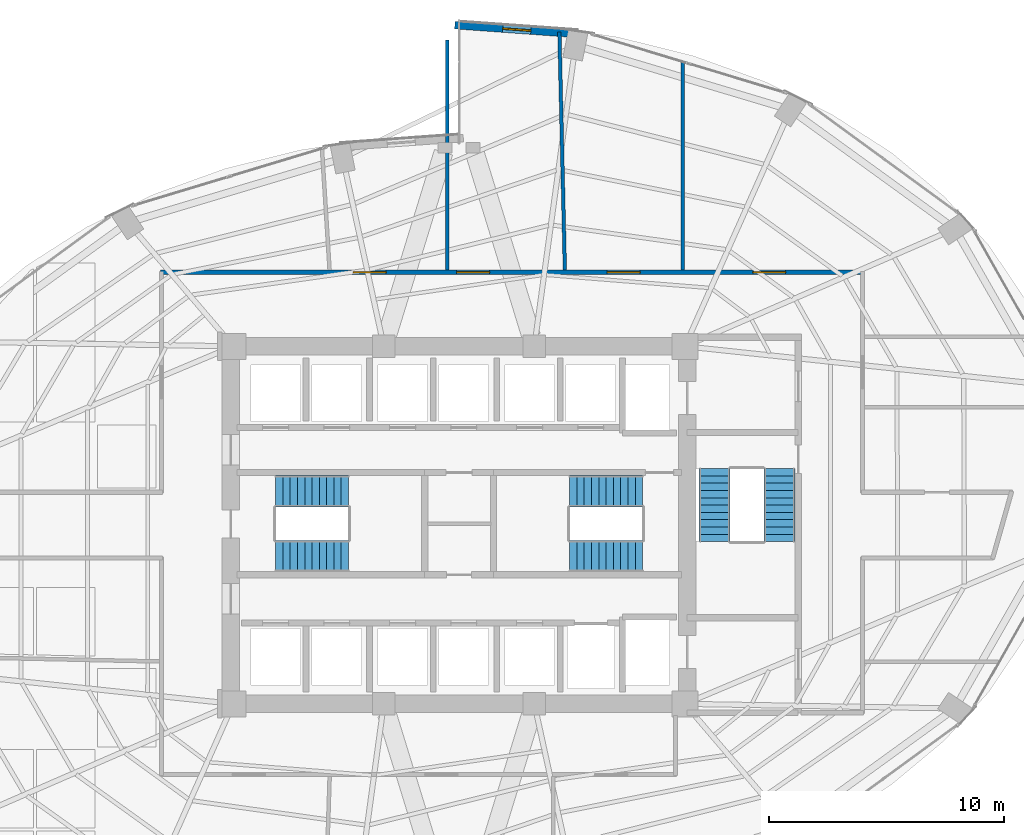
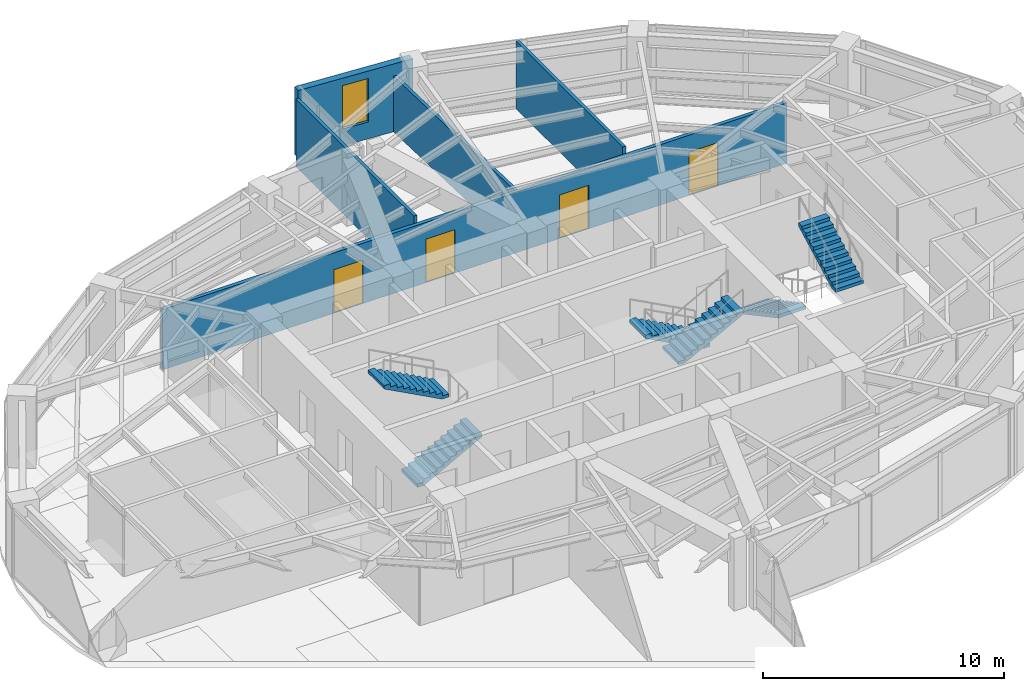
# One storey, part 22 of 24: 6 stair flights, 5 walls, 4 doors, 1 window, 5 openings, 3 elements without a shape of their own.
"""IFC4 building model written with IfcOpenShell, lengths in metres."""

from ifc_helpers import new_model, si_unit, direction, frame, frame_2d, origin, place, context, subcontext, project, spatial, polyline, rectangle, outline, extrude, material, layer, layer_set, type_object, element, fill, aggregate, save


model = new_model("IFC4")

# Units and contexts
model_context = context("Model", 3, precision=1e-05, world=origin(), true_north=direction((0.0, 1.0)))
body_context = subcontext(model_context, "Body", "Model", "MODEL_VIEW")
ifc_project = project(units=[si_unit("LENGTHUNIT", "METRE"), si_unit("AREAUNIT", "SQUARE_METRE"), si_unit("VOLUMEUNIT", "CUBIC_METRE"), si_unit("PLANEANGLEUNIT", "RADIAN"), si_unit("MASSUNIT", "GRAM", prefix="KILO")], contexts=[model_context])

# Site, building, storey
site_placement = place(None, origin())
site = spatial("IfcSite", under=ifc_project, at=site_placement, CompositionType="ELEMENT")
building_placement = place(site_placement, origin())
building = spatial("IfcBuilding", under=site, at=building_placement, Name="Lazwardi Medical Tower", CompositionType="ELEMENT")
storey_placement = place(building_placement, frame((0.0, 0.0, 103.632080078125)))
storey = spatial("IfcBuildingStorey", under=building, at=storey_placement, Name="L26", CompositionType="ELEMENT", Elevation=103.632080078125)

# Wall, openings, doors
ifc_material_1 = material(Name="Fire-rated gypsum board on steel stud", Category="steel")
ifc_layer_1 = layer(ifc_material_1, 0.179931640625)
ifc_layer_set_1 = layer_set([ifc_layer_1], Name="Fire-rated gypsum board on steel stud")
wall_type_1 = type_object("IfcWallType", Name="WL-COR-180", PredefinedType="PARTITIONING", material=ifc_layer_set_1)
wall_1_placement = place(storey_placement, frame((23.31005859375, 38.75, 0.0), z_axis=(0.0, 0.0, 1.0), x_axis=(1.0, 0.0, 0.0)))
wall_1 = element("IfcWall", 1, at=wall_1_placement, inside=storey, type_object=wall_type_1, Name="L26 Corridor partition 4", PredefinedType="PARTITIONING", context=body_context, shape_type="SweptSolid", body=[
    extrude(rectangle(XDim=29.8798828125, YDim=0.179931640625, at=frame_2d((14.93994140625, 0.0))), origin(), (0.0, 0.0, 1.0), 3.052978515625),
])
opening_1_placement = place(wall_1_placement, frame((25.176025390625, 0.0, 0.0)))
opening_1 = element("IfcOpeningElement", 2, at=opening_1_placement, cuts=wall_1, Name="Opening D-L26-012", PredefinedType="OPENING", context=body_context, shape_type="SweptSolid", body=[
    extrude(rectangle(XDim=1.39990234375, YDim=2.199951171875, at=frame_2d((0.699951171875, 1.10009765625))), frame((0.0, 0.099853515625, 0.0), z_axis=(0.0, -1.0, 0.0), x_axis=(1.0, 0.0, 0.0)), (0.0, 0.0, 1.0), 0.199951171875),
])
opening_2_placement = place(wall_1_placement, frame((18.989013671875, 0.0, 0.0)))
opening_2 = element("IfcOpeningElement", 3, at=opening_2_placement, cuts=wall_1, Name="Opening D-L26-013", PredefinedType="OPENING", context=body_context, shape_type="SweptSolid", body=[
    extrude(rectangle(XDim=1.39990234375, YDim=2.199951171875, at=frame_2d((0.699951171875, 1.10009765625))), frame((0.0, 0.099853515625, 0.0), z_axis=(0.0, -1.0, 0.0), x_axis=(1.0, 0.0, 0.0)), (0.0, 0.0, 1.0), 0.199951171875),
])
opening_3_placement = place(wall_1_placement, frame((12.589111328125, 0.0, 0.0)))
opening_3 = element("IfcOpeningElement", 4, at=opening_3_placement, cuts=wall_1, Name="Opening D-L26-014", PredefinedType="OPENING", context=body_context, shape_type="SweptSolid", body=[
    extrude(rectangle(XDim=1.39990234375, YDim=2.199951171875, at=frame_2d((0.699951171875, 1.10009765625))), frame((0.0, 0.099853515625, 0.0), z_axis=(0.0, -1.0, 0.0), x_axis=(1.0, 0.0, 0.0)), (0.0, 0.0, 1.0), 0.199951171875),
])
opening_4_placement = place(wall_1_placement, frame((8.1875, 0.0, 0.0)))
opening_4 = element("IfcOpeningElement", 5, at=opening_4_placement, cuts=wall_1, Name="Opening D-L26-015", PredefinedType="OPENING", context=body_context, shape_type="SweptSolid", body=[
    extrude(rectangle(XDim=1.39990234375, YDim=2.199951171875, at=frame_2d((0.699951171875, 1.10009765625))), frame((0.0, 0.099853515625, 0.0), z_axis=(0.0, -1.0, 0.0), x_axis=(1.0, 0.0, 0.0)), (0.0, 0.0, 1.0), 0.199951171875),
])
ifc_material_2 = material(Name="Anti-microbial laminate hospital leaf")
door_type = type_object("IfcDoorType", Name="DR-BED-1400", OperationType="NOTDEFINED", PredefinedType="DOOR", material=ifc_material_2)
door_1_placement = place(opening_1_placement, origin())
door_1 = element("IfcDoor", 6, at=door_1_placement, inside=storey, type_object=door_type, Name="L26 Patient Day Lounge Door 06", OperationType="SINGLE_SWING_RIGHT", OverallHeight=2.199951171875, OverallWidth=1.39990234375, PredefinedType="DOOR", context=body_context, shape_type="SweptSolid", body=[
    extrude(rectangle(XDim=1.39990234375, YDim=2.199951171875, at=frame_2d((0.699951171875, 1.10009765625))), frame((0.0, 0.02490234375, 0.0), z_axis=(0.0, -1.0, 0.0), x_axis=(1.0, 0.0, 0.0)), (0.0, 0.0, 1.0), 0.050048828125),
])
fill(opening_1, door_1)
door_2_placement = place(opening_2_placement, origin())
door_2 = element("IfcDoor", 7, at=door_2_placement, inside=storey, type_object=door_type, Name="L26 Patient Day Lounge Door 07", OperationType="SINGLE_SWING_LEFT", OverallHeight=2.199951171875, OverallWidth=1.39990234375, PredefinedType="DOOR", context=body_context, shape_type="SweptSolid", body=[
    extrude(rectangle(XDim=1.39990234375, YDim=2.199951171875, at=frame_2d((0.699951171875, 1.10009765625))), frame((0.0, 0.02490234375, 0.0), z_axis=(0.0, -1.0, 0.0), x_axis=(1.0, 0.0, 0.0)), (0.0, 0.0, 1.0), 0.050048828125),
])
fill(opening_2, door_2)
door_3_placement = place(opening_3_placement, origin())
door_3 = element("IfcDoor", 8, at=door_3_placement, inside=storey, type_object=door_type, Name="L26 Patient Day Lounge Door 08", OperationType="SINGLE_SWING_RIGHT", OverallHeight=2.199951171875, OverallWidth=1.39990234375, PredefinedType="DOOR", context=body_context, shape_type="SweptSolid", body=[
    extrude(rectangle(XDim=1.39990234375, YDim=2.199951171875, at=frame_2d((0.699951171875, 1.10009765625))), frame((0.0, 0.02490234375, 0.0), z_axis=(0.0, -1.0, 0.0), x_axis=(1.0, 0.0, 0.0)), (0.0, 0.0, 1.0), 0.050048828125),
])
fill(opening_3, door_3)
door_4_placement = place(opening_4_placement, origin())
door_4 = element("IfcDoor", 9, at=door_4_placement, inside=storey, type_object=door_type, Name="L26 Patient Day Lounge Door 09", OperationType="SINGLE_SWING_LEFT", OverallHeight=2.199951171875, OverallWidth=1.39990234375, PredefinedType="DOOR", context=body_context, shape_type="SweptSolid", body=[
    extrude(rectangle(XDim=1.39990234375, YDim=2.199951171875, at=frame_2d((0.699951171875, 1.10009765625))), frame((0.0, 0.02490234375, 0.0), z_axis=(0.0, -1.0, 0.0), x_axis=(1.0, 0.0, 0.0)), (0.0, 0.0, 1.0), 0.050048828125),
])
fill(opening_4, door_4)

# Wall, opening, window
ifc_material_3 = material(Name="Precast concrete C45/55", Category="concrete")
ifc_layer_2 = layer(ifc_material_3, 0.320068359375)
ifc_layer_set_2 = layer_set([ifc_layer_2], Name="Precast concrete C45/55")
wall_type_2 = type_object("IfcWallType", Name="WL-IWAN-320", PredefinedType="SOLIDWALL", material=ifc_layer_set_2)
wall_2_placement = place(storey_placement, frame((41.091064453125, 48.87451171875, 0.0), z_axis=(0.0, 0.0, 1.0), x_axis=(-0.997432364291, 0.071614793619, 0.0)))
wall_2 = element("IfcWall", 10, at=wall_2_placement, inside=storey, type_object=wall_type_2, Name="L26 Iwan Portal Return Wall NE_ret", PredefinedType="SOLIDWALL", context=body_context, shape_type="SweptSolid", body=[
    extrude(rectangle(XDim=5.2841796875, YDim=0.320068359375, at=frame_2d((2.64208984375, 0.0))), origin(), (0.0, 0.0, 1.0), 3.427978515625),
])
opening_5_placement = place(wall_2_placement, frame((2.0419921875, 0.0, 0.85009765625)))
opening_5 = element("IfcOpeningElement", 11, at=opening_5_placement, cuts=wall_2, Name="Opening WN-01", PredefinedType="OPENING", context=body_context, shape_type="SweptSolid", body=[
    extrude(rectangle(XDim=1.199951171875, YDim=2.199951171875, at=frame_2d((0.60009765625, 1.10009765625))), frame((0.0, 0.169921875, 0.0), z_axis=(0.0, -1.0, 0.0), x_axis=(1.0, 0.0, 0.0)), (0.0, 0.0, 1.0), 0.340087890625),
])
ifc_material_4 = material(Name="Low-e bronze solar control double glazing", Category="glass")
window_type = type_object("IfcWindowType", Name="WIN-IW-1200", PartitioningType="SINGLE_PANEL", PredefinedType="WINDOW", material=ifc_material_4)
window_placement = place(opening_5_placement, origin())
window = element("IfcWindow", 12, at=window_placement, inside=storey, type_object=window_type, Name="L26 Iwan Slot Window NE_ret", OverallHeight=2.199951171875, OverallWidth=1.199951171875, PartitioningType="SINGLE_PANEL", PredefinedType="WINDOW", context=body_context, shape_type="SweptSolid", body=[
    extrude(rectangle(XDim=1.199951171875, YDim=2.199951171875, at=frame_2d((0.60009765625, 1.10009765625))), frame((0.0, 0.030029296875, 0.0), z_axis=(0.0, -1.0, 0.0), x_axis=(1.0, 0.0, 0.0)), (0.0, 0.0, 1.0), 0.06005859375),
])
fill(opening_5, window)

# Walls
ifc_material_5 = material(Name="Acoustic gypsum board partition")
ifc_layer_3 = layer(ifc_material_5, 0.14990234375)
ifc_layer_set_3 = layer_set([ifc_layer_3], Name="Acoustic gypsum board partition")
wall_type_3 = type_object("IfcWallType", Name="WL-WRD-150", PredefinedType="PARTITIONING", material=ifc_layer_set_3)
wall_3_placement = place(storey_placement, frame((35.5, 38.840087890625, 0.0), z_axis=(0.0, 0.0, 1.0), x_axis=(0.0, 1.0, 0.0)))
element("IfcWall", 13, at=wall_3_placement, inside=storey, type_object=wall_type_3, Name="L26 Room partition 6", PredefinedType="PARTITIONING", context=body_context, shape_type="SweptSolid", body=[
    extrude(rectangle(XDim=9.77197265625, YDim=0.14990234375, at=frame_2d((4.885986328125, 0.0))), origin(), (0.0, 0.0, 1.0), 3.427978515625),
])
wall_4_placement = place(storey_placement, frame((40.498291015625, 38.840087890625, 0.0), z_axis=(0.0, 0.0, 1.0), x_axis=(-0.023053353508, 0.999734236131, 0.0)))
element("IfcWall", 14, at=wall_4_placement, inside=storey, type_object=wall_type_3, Name="L26 Room partition 7", PredefinedType="PARTITIONING", context=body_context, shape_type="SweptSolid", body=[
    extrude(rectangle(XDim=10.124267578125, YDim=0.14990234375, at=frame_2d((5.06201171875, 0.0))), origin(), (0.0, 0.0, 1.0), 2.81298828125),
])
wall_5_placement = place(storey_placement, frame((45.5, 38.840087890625, 0.0), z_axis=(0.0, 0.0, 1.0), x_axis=(0.0, 1.0, 0.0)))
element("IfcWall", 15, at=wall_5_placement, inside=storey, type_object=wall_type_3, Name="L26 Room partition 8", PredefinedType="PARTITIONING", context=body_context, shape_type="SweptSolid", body=[
    extrude(rectangle(XDim=8.84033203125, YDim=0.14990234375, at=frame_2d((4.420166015625, 0.0))), origin(), (0.0, 0.0, 1.0), 3.427978515625),
])

# Stair, stair flights
ifc_material_6 = material(Name="Concrete C45/55", Category="concrete")
stair_type = type_object("IfcStairType", Name="STR-WRD", PredefinedType="HALF_TURN_STAIR", material=ifc_material_6)
stair_1_placement = place(storey_placement, origin())
stair_1 = element("IfcStair", 16, at=stair_1_placement, inside=storey, type_object=stair_type, Name="L26 Protected Exit Stair ST1", PredefinedType="HALF_TURN_STAIR")
stair_flight_type = type_object("IfcStairFlightType", Name="FLT-WRD", PredefinedType="STRAIGHT", material=ifc_material_6)
stair_flight_1_placement = place(storey_placement, frame((28.199951171875, 26.679931640625, 0.0), z_axis=(0.0, 0.0, 1.0), x_axis=(1.0, 0.0, 0.0)))
stair_flight_1 = element("IfcStairFlight", 17, at=stair_flight_1_placement, type_object=stair_flight_type, Name="ST1 flight 1", NumberOfRisers=11, NumberOfTreads=10, PredefinedType="STRAIGHT", RiserHeight=0.165818182, TreadLength=0.31, context=body_context, shape_type="SweptSolid", body=[
    extrude(outline(polyline([(0.0, 0.0), (0.0, 0.165771484375), (0.31005859375, 0.165771484375), (0.31005859375, 0.33154296875), (0.6201171875, 0.33154296875), (0.6201171875, 0.49755859375), (0.929931640625, 0.49755859375), (0.929931640625, 0.663330078125), (1.239990234375, 0.663330078125), (1.239990234375, 0.8291015625), (1.550048828125, 0.8291015625), (1.550048828125, 0.994873046875), (1.860107421875, 0.994873046875), (1.860107421875, 1.16064453125), (2.169921875, 1.16064453125), (2.169921875, 1.32666015625), (2.47998046875, 1.32666015625), (2.47998046875, 1.492431640625), (2.7900390625, 1.492431640625), (2.7900390625, 1.658203125), (3.10009765625, 1.658203125), (3.10009765625, 1.823974609375), (3.10009765625, 1.48828125), (0.31787109375, 0.0), (0.0, 0.0)])), frame((0.0, 0.66015625, 0.0), z_axis=(0.0, -1.0, 0.0), x_axis=(1.0, 0.0, 0.0)), (0.0, 0.0, 1.0), 1.320068359375),
])
stair_flight_2_placement = place(storey_placement, frame((31.300048828125, 29.43994140625, 1.823974609375), z_axis=(0.0, 0.0, 1.0), x_axis=(-1.0, 0.0, 0.0)))
stair_flight_2 = element("IfcStairFlight", 18, at=stair_flight_2_placement, type_object=stair_flight_type, Name="ST1 flight 2", NumberOfRisers=11, NumberOfTreads=10, PredefinedType="STRAIGHT", RiserHeight=0.165818182, TreadLength=0.31, context=body_context, shape_type="SweptSolid", body=[
    extrude(outline(polyline([(0.0, 0.0), (0.0, 0.165771484375), (0.31005859375, 0.165771484375), (0.31005859375, 0.33154296875), (0.6201171875, 0.33154296875), (0.6201171875, 0.49755859375), (0.929931640625, 0.49755859375), (0.929931640625, 0.663330078125), (1.239990234375, 0.663330078125), (1.239990234375, 0.8291015625), (1.550048828125, 0.8291015625), (1.550048828125, 0.994873046875), (1.860107421875, 0.994873046875), (1.860107421875, 1.16064453125), (2.169921875, 1.16064453125), (2.169921875, 1.32666015625), (2.47998046875, 1.32666015625), (2.47998046875, 1.492431640625), (2.7900390625, 1.492431640625), (2.7900390625, 1.658203125), (3.10009765625, 1.658203125), (3.10009765625, 1.823974609375), (3.10009765625, 1.48828125), (0.31787109375, 0.0), (0.0, 0.0)])), frame((0.0, 0.66015625, 0.0), z_axis=(0.0, -1.0, 0.0), x_axis=(1.0, 0.0, 0.0)), (0.0, 0.0, 1.0), 1.320068359375),
])
aggregate(stair_1, [stair_flight_1, stair_flight_2])

stair_2_placement = place(storey_placement, origin())
stair_2 = element("IfcStair", 19, at=stair_2_placement, inside=storey, type_object=stair_type, Name="L26 Protected Exit Stair ST2", PredefinedType="HALF_TURN_STAIR")
stair_flight_3_placement = place(storey_placement, frame((43.800048828125, 29.43994140625, 0.0), z_axis=(0.0, 0.0, 1.0), x_axis=(-1.0, 0.0, 0.0)))
stair_flight_3 = element("IfcStairFlight", 20, at=stair_flight_3_placement, type_object=stair_flight_type, Name="ST2 flight 1", NumberOfRisers=11, NumberOfTreads=10, PredefinedType="STRAIGHT", RiserHeight=0.165818182, TreadLength=0.31, context=body_context, shape_type="SweptSolid", body=[
    extrude(outline(polyline([(0.0, 0.0), (0.0, 0.165771484375), (0.31005859375, 0.165771484375), (0.31005859375, 0.33154296875), (0.6201171875, 0.33154296875), (0.6201171875, 0.49755859375), (0.929931640625, 0.49755859375), (0.929931640625, 0.663330078125), (1.239990234375, 0.663330078125), (1.239990234375, 0.8291015625), (1.550048828125, 0.8291015625), (1.550048828125, 0.994873046875), (1.860107421875, 0.994873046875), (1.860107421875, 1.16064453125), (2.169921875, 1.16064453125), (2.169921875, 1.32666015625), (2.47998046875, 1.32666015625), (2.47998046875, 1.492431640625), (2.7900390625, 1.492431640625), (2.7900390625, 1.658203125), (3.10009765625, 1.658203125), (3.10009765625, 1.823974609375), (3.10009765625, 1.48828125), (0.31787109375, 0.0), (0.0, 0.0)])), frame((0.0, 0.66015625, 0.0), z_axis=(0.0, -1.0, 0.0), x_axis=(1.0, 0.0, 0.0)), (0.0, 0.0, 1.0), 1.320068359375),
])
stair_flight_4_placement = place(storey_placement, frame((40.699951171875, 26.679931640625, 1.823974609375), z_axis=(0.0, 0.0, 1.0), x_axis=(1.0, 0.0, 0.0)))
stair_flight_4 = element("IfcStairFlight", 21, at=stair_flight_4_placement, type_object=stair_flight_type, Name="ST2 flight 2", NumberOfRisers=11, NumberOfTreads=10, PredefinedType="STRAIGHT", RiserHeight=0.165818182, TreadLength=0.31, context=body_context, shape_type="SweptSolid", body=[
    extrude(outline(polyline([(0.0, 0.0), (0.0, 0.165771484375), (0.31005859375, 0.165771484375), (0.31005859375, 0.33154296875), (0.6201171875, 0.33154296875), (0.6201171875, 0.49755859375), (0.929931640625, 0.49755859375), (0.929931640625, 0.663330078125), (1.239990234375, 0.663330078125), (1.239990234375, 0.8291015625), (1.550048828125, 0.8291015625), (1.550048828125, 0.994873046875), (1.860107421875, 0.994873046875), (1.860107421875, 1.16064453125), (2.169921875, 1.16064453125), (2.169921875, 1.32666015625), (2.47998046875, 1.32666015625), (2.47998046875, 1.492431640625), (2.7900390625, 1.492431640625), (2.7900390625, 1.658203125), (3.10009765625, 1.658203125), (3.10009765625, 1.823974609375), (3.10009765625, 1.48828125), (0.31787109375, 0.0), (0.0, 0.0)])), frame((0.0, 0.66015625, 0.0), z_axis=(0.0, -1.0, 0.0), x_axis=(1.0, 0.0, 0.0)), (0.0, 0.0, 1.0), 1.320068359375),
])
aggregate(stair_2, [stair_flight_3, stair_flight_4])

stair_3_placement = place(storey_placement, origin())
stair_3 = element("IfcStair", 22, at=stair_3_placement, inside=storey, type_object=stair_type, Name="L26 Protected Exit Stair ST3", PredefinedType="HALF_TURN_STAIR")
stair_flight_5_placement = place(storey_placement, frame((46.860107421875, 30.39990234375, 0.0), z_axis=(0.0, 0.0, 1.0), x_axis=(0.0, -1.0, 0.0)))
stair_flight_5 = element("IfcStairFlight", 23, at=stair_flight_5_placement, type_object=stair_flight_type, Name="ST3 flight 1", NumberOfRisers=11, NumberOfTreads=10, PredefinedType="STRAIGHT", RiserHeight=0.165818182, TreadLength=0.31, context=body_context, shape_type="SweptSolid", body=[
    extrude(outline(polyline([(0.0, 0.0), (0.0, 0.165771484375), (0.31005859375, 0.165771484375), (0.31005859375, 0.33154296875), (0.6201171875, 0.33154296875), (0.6201171875, 0.49755859375), (0.929931640625, 0.49755859375), (0.929931640625, 0.663330078125), (1.239990234375, 0.663330078125), (1.239990234375, 0.8291015625), (1.550048828125, 0.8291015625), (1.550048828125, 0.994873046875), (1.860107421875, 0.994873046875), (1.860107421875, 1.16064453125), (2.169921875, 1.16064453125), (2.169921875, 1.32666015625), (2.47998046875, 1.32666015625), (2.47998046875, 1.492431640625), (2.7900390625, 1.492431640625), (2.7900390625, 1.658203125), (3.10009765625, 1.658203125), (3.10009765625, 1.823974609375), (3.10009765625, 1.48828125), (0.31787109375, 0.0), (0.0, 0.0)])), frame((0.0, 0.66015625, 0.0), z_axis=(0.0, -1.0, 0.0), x_axis=(1.0, 0.0, 0.0)), (0.0, 0.0, 1.0), 1.320068359375),
])
stair_flight_6_placement = place(storey_placement, frame((49.6201171875, 27.300048828125, 1.823974609375), z_axis=(0.0, 0.0, 1.0), x_axis=(0.0, 1.0, 0.0)))
stair_flight_6 = element("IfcStairFlight", 24, at=stair_flight_6_placement, type_object=stair_flight_type, Name="ST3 flight 2", NumberOfRisers=11, NumberOfTreads=10, PredefinedType="STRAIGHT", RiserHeight=0.165818182, TreadLength=0.31, context=body_context, shape_type="SweptSolid", body=[
    extrude(outline(polyline([(0.0, 0.0), (0.0, 0.165771484375), (0.31005859375, 0.165771484375), (0.31005859375, 0.33154296875), (0.6201171875, 0.33154296875), (0.6201171875, 0.49755859375), (0.929931640625, 0.49755859375), (0.929931640625, 0.663330078125), (1.239990234375, 0.663330078125), (1.239990234375, 0.8291015625), (1.550048828125, 0.8291015625), (1.550048828125, 0.994873046875), (1.860107421875, 0.994873046875), (1.860107421875, 1.16064453125), (2.169921875, 1.16064453125), (2.169921875, 1.32666015625), (2.47998046875, 1.32666015625), (2.47998046875, 1.492431640625), (2.7900390625, 1.492431640625), (2.7900390625, 1.658203125), (3.10009765625, 1.658203125), (3.10009765625, 1.823974609375), (3.10009765625, 1.48828125), (0.31787109375, 0.0), (0.0, 0.0)])), frame((0.0, 0.66015625, 0.0), z_axis=(0.0, -1.0, 0.0), x_axis=(1.0, 0.0, 0.0)), (0.0, 0.0, 1.0), 1.320068359375),
])
aggregate(stair_3, [stair_flight_5, stair_flight_6])

save(model, "model.ifc")
